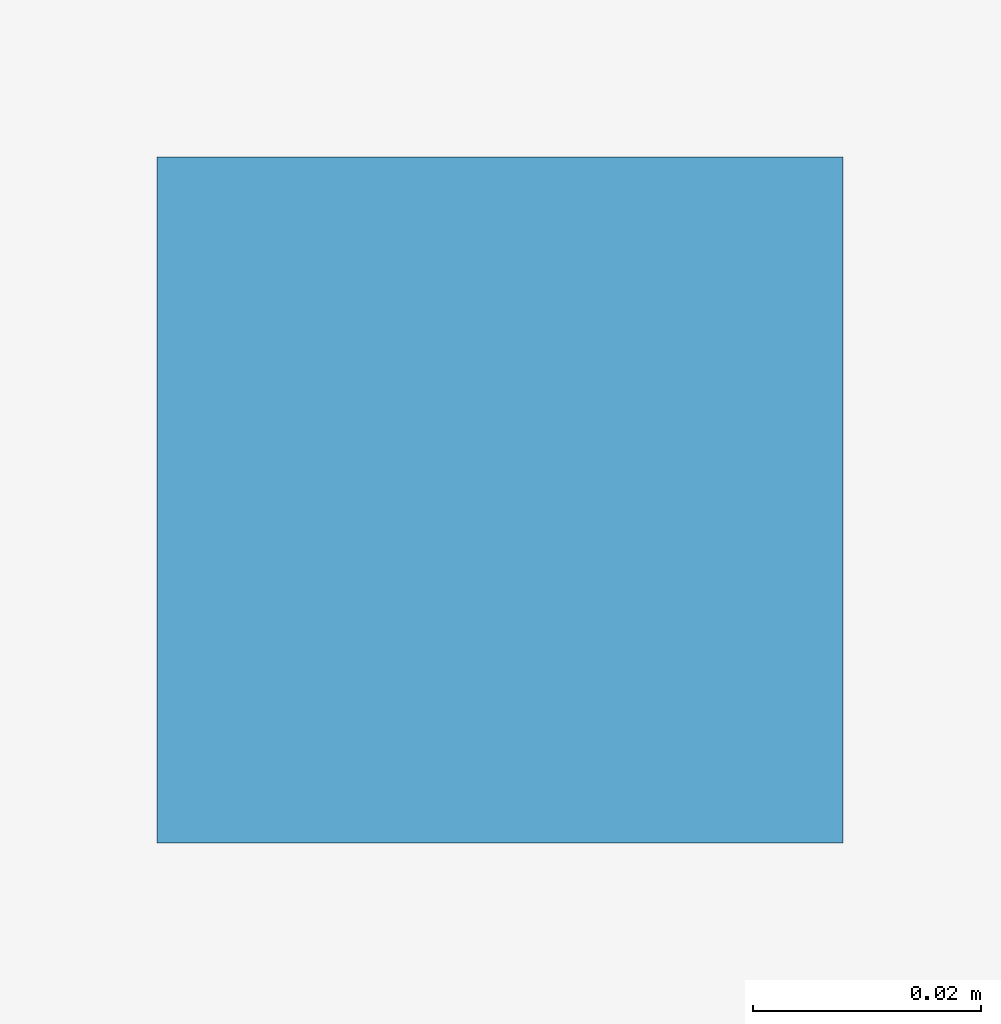
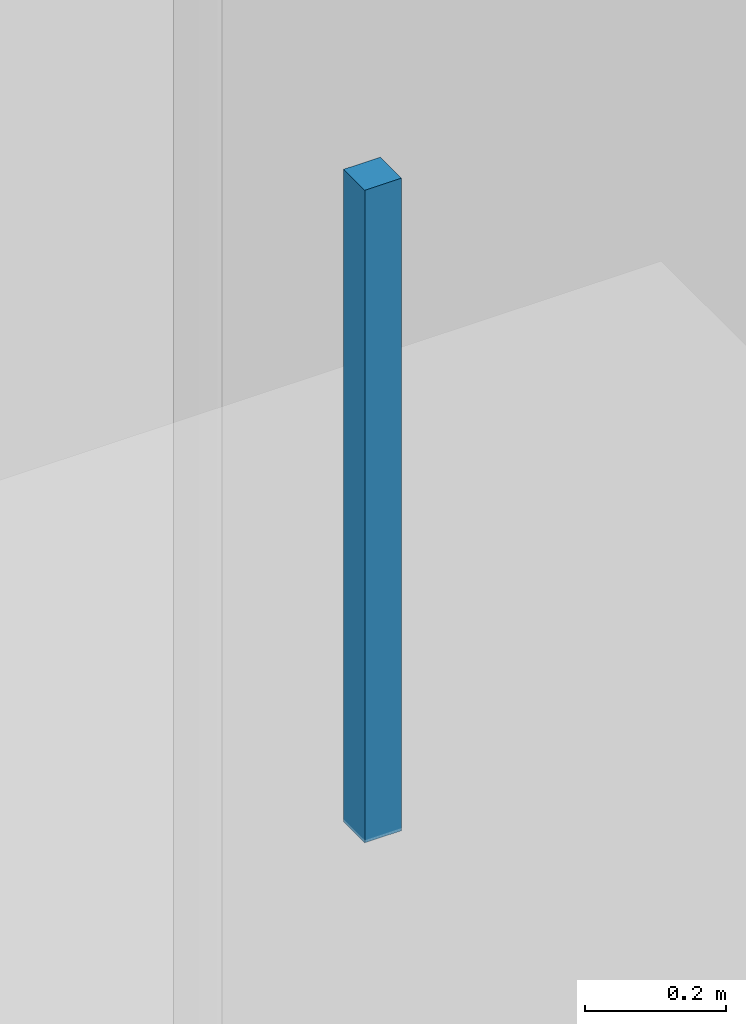
# One storey, part 115 of 139: 1 discrete accessory.
"""IFC4 building model written with IfcOpenShell, lengths in metres."""

from ifc_helpers import new_model, si_unit, derived_unit, direction, frame, origin, origin_2d, place, context, subcontext, project, spatial, rectangle, extrude, material, layer, layer_set, type_object, element, save


model = new_model("IFC4")

# Units and contexts
model_context = context("Model", 3, precision=1e-05, world=origin(), true_north=direction((0.0, 1.0)))
body_context = subcontext(model_context, "Body", "Model", "MODEL_VIEW")
ifc_project = project(units=[si_unit("LENGTHUNIT", "METRE"), si_unit("AREAUNIT", "SQUARE_METRE"), si_unit("VOLUMEUNIT", "CUBIC_METRE"), si_unit("PLANEANGLEUNIT", "RADIAN"), si_unit("MASSUNIT", "GRAM", prefix="KILO"), derived_unit("THERMALTRANSMITTANCEUNIT", [(si_unit("MASSUNIT", "GRAM", prefix="KILO"), 1), (si_unit("TIMEUNIT", "SECOND"), -3), (si_unit("THERMODYNAMICTEMPERATUREUNIT", "KELVIN"), -1)])], contexts=[model_context])

# Site, building, storey
site_placement = place(None, origin())
site = spatial("IfcSite", under=ifc_project, at=site_placement, CompositionType="ELEMENT")
building_placement = place(site_placement, origin())
building = spatial("IfcBuilding", under=site, at=building_placement, Name="Makaiwela Harbour Ferry Terminal", CompositionType="ELEMENT")
storey_placement = place(building_placement, frame((0.0, 0.0, 5.10009765625)))
storey = spatial("IfcBuildingStorey", under=building, at=storey_placement, Name="L01", CompositionType="ELEMENT", Elevation=5.10009765625)

# Discrete accessory
ifc_material = material(Name="Marine grade 316L brushed stainless steel", Category="steel")
ifc_layer = layer(ifc_material, 1.0)
ifc_layer_set = layer_set([ifc_layer], Name="Marine grade 316L brushed stainless steel")
discrete_accessory_type = type_object("IfcDiscreteAccessoryType", Name="INT-ACC-HNG", PredefinedType="BRACKET", material=ifc_layer_set)
discrete_accessory_placement = place(storey_placement, frame((120.0, 21.67578125, 3.135009765625), z_axis=(0.0, 0.0, 1.0), x_axis=(1.0, 0.0, 0.0)))
element("IfcDiscreteAccessory", 1, at=discrete_accessory_placement, inside=storey, type_object=discrete_accessory_type, Name="Ceiling Suspension Bracket HNG-043", PredefinedType="BRACKET", context=body_context, shape_type="SweptSolid", body=[
    extrude(rectangle(XDim=0.06005859375, YDim=0.06005859375, at=origin_2d()), origin(), (0.0, 0.0, 1.0), 1.1298828125),
])

save(model, "model.ifc")
